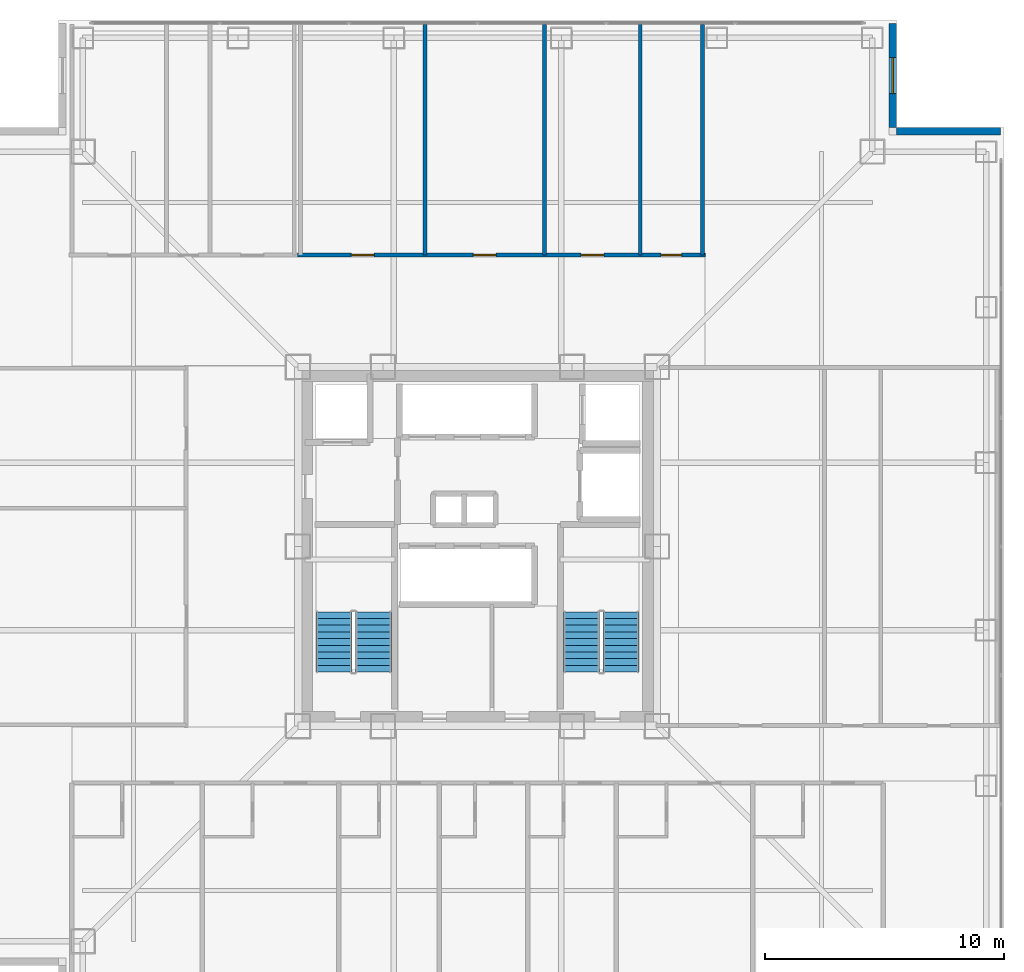
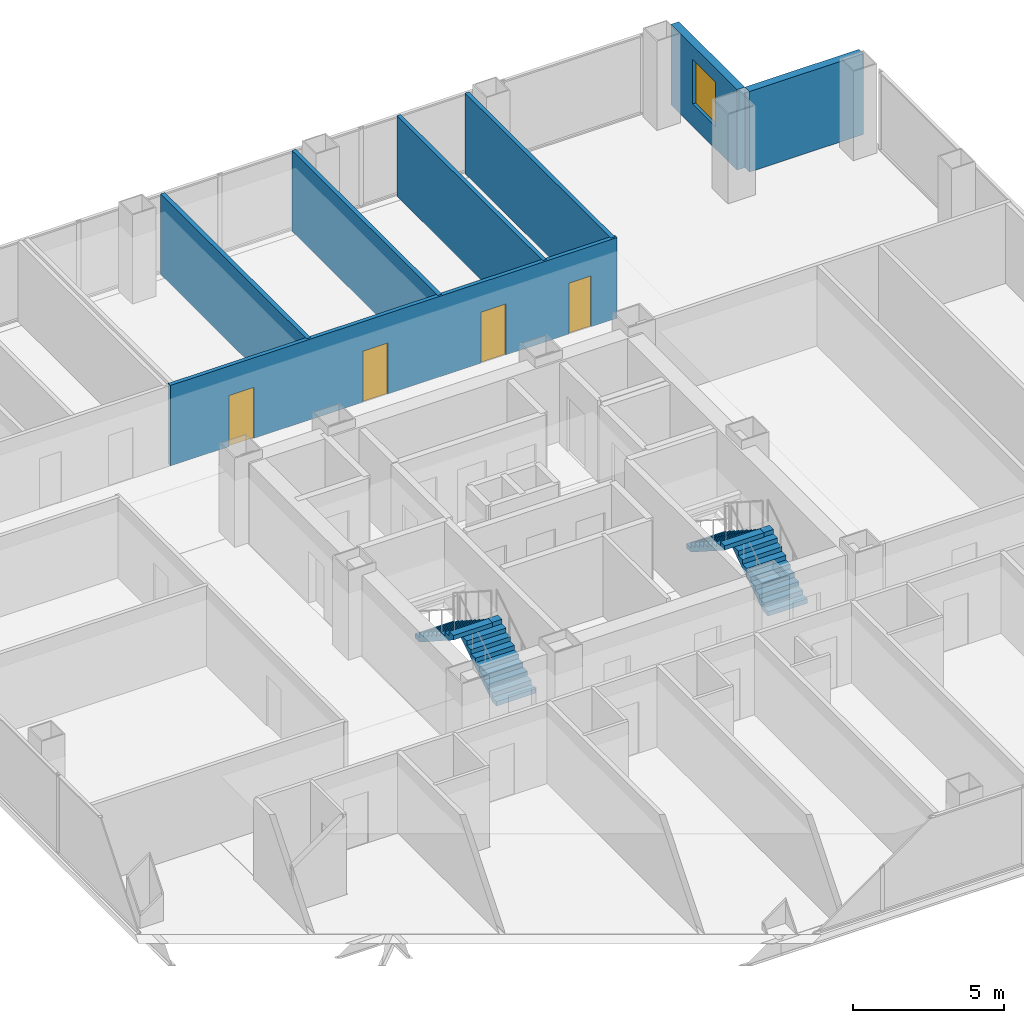
# One storey, part 15 of 18: 7 walls, 4 doors, 4 stair flights, 1 window, 5 openings, 2 elements without a shape of their own.
"""IFC4 building model written with IfcOpenShell, lengths in metres."""

from ifc_helpers import new_model, si_unit, direction, frame, frame_2d, origin, place, context, subcontext, project, spatial, polyline, rectangle, outline, extrude, material, layer, layer_set, type_object, element, fill, aggregate, save


model = new_model("IFC4")

# Units and contexts
model_context = context("Model", 3, precision=1e-05, world=origin(), true_north=direction((0.0, 1.0)))
body_context = subcontext(model_context, "Body", "Model", "MODEL_VIEW")
ifc_project = project(units=[si_unit("LENGTHUNIT", "METRE"), si_unit("AREAUNIT", "SQUARE_METRE"), si_unit("VOLUMEUNIT", "CUBIC_METRE"), si_unit("PLANEANGLEUNIT", "RADIAN"), si_unit("MASSUNIT", "GRAM", prefix="KILO")], contexts=[model_context])

# Site, building, storey
site_placement = place(None, origin())
site = spatial("IfcSite", under=ifc_project, at=site_placement, CompositionType="ELEMENT")
building_placement = place(site_placement, origin())
building = spatial("IfcBuilding", under=site, at=building_placement, Name="Trevonay Congress Spire", CompositionType="ELEMENT")
storey_placement = place(building_placement, frame((0.0, 0.0, 151.60009765625)))
storey = spatial("IfcBuildingStorey", under=building, at=storey_placement, Name="L39", CompositionType="ELEMENT", Elevation=151.60009765625)

# Wall, openings, doors
ifc_material_1 = material(Name="Concrete C40/50", Category="concrete")
ifc_layer_1 = layer(ifc_material_1, 0.14990234375, Name="Concrete C40/50")
ifc_layer_set_1 = layer_set([ifc_layer_1], Name="Concrete C40/50")
wall_type_1 = type_object("IfcWallType", Name="WAL-CORR-150", PredefinedType="PARTITIONING", material=ifc_layer_set_1)
wall_1_placement = place(storey_placement, frame((-7.52001953125, 12.179931640625, 0.0), z_axis=(0.0, 0.0, 1.0), x_axis=(1.0, 0.0, 0.0)))
wall_1 = element("IfcWall", 1, at=wall_1_placement, inside=storey, type_object=wall_type_1, Name="L39 interior wall WP-L39NE-COR", PredefinedType="PARTITIONING", context=body_context, shape_type="SweptSolid", body=[
    extrude(rectangle(XDim=17.0400390625, YDim=0.14990234375, at=frame_2d((8.52001953125, 0.0))), origin(), (0.0, 0.0, 1.0), 3.25),
])
opening_1_placement = place(wall_1_placement, frame((2.2451171875, 0.0, 0.0)))
opening_1 = element("IfcOpeningElement", 2, at=opening_1_placement, cuts=wall_1, Name="Opening D07", PredefinedType="OPENING", context=body_context, shape_type="SweptSolid", body=[
    extrude(rectangle(XDim=0.949951171875, YDim=2.06005859375, at=frame_2d((0.47509765625, 1.030029296875))), frame((0.0, 0.0849609375, 0.0), z_axis=(0.0, -1.0, 0.0), x_axis=(1.0, 0.0, 0.0)), (0.0, 0.0, 1.0), 0.169921875),
])
opening_2_placement = place(wall_1_placement, frame((7.344970703125, 0.0, 0.0)))
opening_2 = element("IfcOpeningElement", 3, at=opening_2_placement, cuts=wall_1, Name="Opening D07", PredefinedType="OPENING", context=body_context, shape_type="SweptSolid", body=[
    extrude(rectangle(XDim=0.949951171875, YDim=2.06005859375, at=frame_2d((0.47509765625, 1.030029296875))), frame((0.0, 0.0849609375, 0.0), z_axis=(0.0, -1.0, 0.0), x_axis=(1.0, 0.0, 0.0)), (0.0, 0.0, 1.0), 0.169921875),
])
opening_3_placement = place(wall_1_placement, frame((11.844970703125, 0.0, 0.0)))
opening_3 = element("IfcOpeningElement", 4, at=opening_3_placement, cuts=wall_1, Name="Opening D07", PredefinedType="OPENING", context=body_context, shape_type="SweptSolid", body=[
    extrude(rectangle(XDim=0.949951171875, YDim=2.06005859375, at=frame_2d((0.47509765625, 1.030029296875))), frame((0.0, 0.0849609375, 0.0), z_axis=(0.0, -1.0, 0.0), x_axis=(1.0, 0.0, 0.0)), (0.0, 0.0, 1.0), 0.169921875),
])
opening_4_placement = place(wall_1_placement, frame((15.195068359375, 0.0, 0.0)))
opening_4 = element("IfcOpeningElement", 5, at=opening_4_placement, cuts=wall_1, Name="Opening D10", PredefinedType="OPENING", context=body_context, shape_type="SweptSolid", body=[
    extrude(rectangle(XDim=0.85009765625, YDim=2.050048828125, at=frame_2d((0.425048828125, 1.02490234375))), frame((0.0, 0.0849609375, 0.0), z_axis=(0.0, -1.0, 0.0), x_axis=(1.0, 0.0, 0.0)), (0.0, 0.0, 1.0), 0.169921875),
])
ifc_material_2 = material(Name="Pale Anodised Aluminium EN AW-6063-T6", Category="aluminium")
door_type_1 = type_object("IfcDoorType", Name="DOR-OFFICE-95", OperationType="NOTDEFINED", PredefinedType="DOOR", material=ifc_material_2)
door_1_placement = place(opening_1_placement, origin())
door_1 = element("IfcDoor", 6, at=door_1_placement, inside=storey, type_object=door_type_1, Name="L39 Protocol Advisors Office 1 Door", OperationType="SINGLE_SWING_RIGHT", OverallHeight=2.06005859375, OverallWidth=0.949951171875, PredefinedType="DOOR", context=body_context, shape_type="SweptSolid", body=[
    extrude(rectangle(XDim=0.949951171875, YDim=2.06005859375, at=frame_2d((0.47509765625, 1.030029296875))), frame((0.0, 0.02490234375, 0.0), z_axis=(0.0, -1.0, 0.0), x_axis=(1.0, 0.0, 0.0)), (0.0, 0.0, 1.0), 0.050048828125),
])
fill(opening_1, door_1)
door_2_placement = place(opening_2_placement, origin())
door_2 = element("IfcDoor", 7, at=door_2_placement, inside=storey, type_object=door_type_1, Name="L39 Protocol Advisors Office 2 Door", OperationType="SINGLE_SWING_LEFT", OverallHeight=2.06005859375, OverallWidth=0.949951171875, PredefinedType="DOOR", context=body_context, shape_type="SweptSolid", body=[
    extrude(rectangle(XDim=0.949951171875, YDim=2.06005859375, at=frame_2d((0.47509765625, 1.030029296875))), frame((0.0, 0.02490234375, 0.0), z_axis=(0.0, -1.0, 0.0), x_axis=(1.0, 0.0, 0.0)), (0.0, 0.0, 1.0), 0.050048828125),
])
fill(opening_2, door_2)
door_3_placement = place(opening_3_placement, origin())
door_3 = element("IfcDoor", 8, at=door_3_placement, inside=storey, type_object=door_type_1, Name="L39 Housekeeping and Linen Room Door", OperationType="SINGLE_SWING_RIGHT", OverallHeight=2.06005859375, OverallWidth=0.949951171875, PredefinedType="DOOR", context=body_context, shape_type="SweptSolid", body=[
    extrude(rectangle(XDim=0.949951171875, YDim=2.06005859375, at=frame_2d((0.47509765625, 1.030029296875))), frame((0.0, 0.02490234375, 0.0), z_axis=(0.0, -1.0, 0.0), x_axis=(1.0, 0.0, 0.0)), (0.0, 0.0, 1.0), 0.050048828125),
])
fill(opening_3, door_3)
door_type_2 = type_object("IfcDoorType", Name="DOR-WC-85", OperationType="NOTDEFINED", PredefinedType="DOOR", material=ifc_material_2)
door_4_placement = place(opening_4_placement, origin())
door_4 = element("IfcDoor", 9, at=door_4_placement, inside=storey, type_object=door_type_2, Name="L39 Female Restroom WC Door", OperationType="SINGLE_SWING_LEFT", OverallHeight=2.050048828125, OverallWidth=0.85009765625, PredefinedType="DOOR", context=body_context, shape_type="SweptSolid", body=[
    extrude(rectangle(XDim=0.85009765625, YDim=2.050048828125, at=frame_2d((0.425048828125, 1.02490234375))), frame((0.0, 0.02490234375, 0.0), z_axis=(0.0, -1.0, 0.0), x_axis=(1.0, 0.0, 0.0)), (0.0, 0.0, 1.0), 0.050048828125),
])
fill(opening_4, door_4)

# Wall, opening, window
ifc_material_3 = material(Name="Precast concrete C40/50", Category="concrete")
ifc_layer_2 = layer(ifc_material_3, 0.300048828125, Name="Precast concrete C40/50")
ifc_layer_set_2 = layer_set([ifc_layer_2], Name="Precast concrete C40/50")
wall_type_2 = type_object("IfcWallType", Name="WAL-EXT-PRECAST-300", PredefinedType="SOLIDWALL", material=ifc_layer_set_2)
wall_2_placement = place(storey_placement, frame((17.35009765625, 21.85009765625, 0.0), z_axis=(0.0, 0.0, 1.0), x_axis=(0.0, -1.0, 0.0)))
wall_2 = element("IfcWall", 10, at=wall_2_placement, inside=storey, type_object=wall_type_2, Name="L39 NE re-entrant notch exterior wall 1", PredefinedType="SOLIDWALL", context=body_context, shape_type="SweptSolid", body=[
    extrude(rectangle(XDim=4.35009765625, YDim=0.300048828125, at=frame_2d((2.175048828125, 0.0))), origin(), (0.0, 0.0, 1.0), 3.25),
])
opening_5_placement = place(wall_2_placement, frame((1.425048828125, 0.0, 0.89990234375)))
opening_5 = element("IfcOpeningElement", 11, at=opening_5_placement, cuts=wall_2, Name="Opening WN03", PredefinedType="OPENING", context=body_context, shape_type="SweptSolid", body=[
    extrude(rectangle(XDim=1.5, YDim=1.800048828125, at=frame_2d((0.75, 0.89990234375))), frame((0.0, 0.16015625, 0.0), z_axis=(0.0, -1.0, 0.0), x_axis=(1.0, 0.0, 0.0)), (0.0, 0.0, 1.0), 0.320068359375),
])
ifc_material_4 = material(Name="Insulated Low-E Vision Glass IGU", Category="glass")
window_type = type_object("IfcWindowType", Name="WIN-NOTCH-150X180", PartitioningType="SINGLE_PANEL", PredefinedType="WINDOW", material=ifc_material_4)
window_placement = place(opening_5_placement, origin())
window = element("IfcWindow", 12, at=window_placement, inside=storey, type_object=window_type, Name="L39 NE corner notch window", OverallHeight=1.800048828125, OverallWidth=1.5, PartitioningType="SINGLE_PANEL", PredefinedType="WINDOW", context=body_context, shape_type="SweptSolid", body=[
    extrude(rectangle(XDim=1.5, YDim=1.800048828125, at=frame_2d((0.75, 0.89990234375))), frame((0.0, 0.030029296875, 0.0), z_axis=(0.0, -1.0, 0.0), x_axis=(1.0, 0.0, 0.0)), (0.0, 0.0, 1.0), 0.06005859375),
])
fill(opening_5, window)

# Walls
wall_3_placement = place(storey_placement, frame((21.85009765625, 17.35009765625, 0.0), z_axis=(0.0, 0.0, 1.0), x_axis=(-1.0, 0.0, 0.0)))
element("IfcWall", 13, at=wall_3_placement, inside=storey, type_object=wall_type_2, Name="L39 NE re-entrant notch exterior wall 2", PredefinedType="SOLIDWALL", context=body_context, shape_type="SweptSolid", body=[
    extrude(rectangle(XDim=4.35009765625, YDim=0.300048828125, at=frame_2d((2.175048828125, 0.0))), origin(), (0.0, 0.0, 1.0), 3.25),
])
ifc_layer_3 = layer(ifc_material_1, 0.14990234375, Name="Concrete C40/50")
ifc_layer_set_3 = layer_set([ifc_layer_3], Name="Concrete C40/50")
wall_type_3 = type_object("IfcWallType", Name="WAL-PART-150", PredefinedType="PARTITIONING", material=ifc_layer_set_3)
for number, where, z_axis, x_axis, name in (
    (14, (2.800048828125, 12.179931640625, 0.0), (0.0, 0.0, 1.0), (0.0, 1.0, 0.0), "L39 interior wall WP-L39NE-DIV3"),
    (15, (6.800048828125, 12.179931640625, 0.0), (0.0, 0.0, 1.0), (0.0, 1.0, 0.0), "L39 interior wall WP-L39NE-DIV4"),
    (16, (9.39990234375, 12.179931640625, 0.0), (0.0, 0.0, 1.0), (0.0, 1.0, 0.0), "L39 interior wall WP-L39NE-DIV5"),
):
    element("IfcWall", number, at=place(storey_placement, frame(where, z_axis=z_axis, x_axis=x_axis)), inside=storey, type_object=wall_type_3, Name=name, PredefinedType="PARTITIONING", context=body_context, shape_type="SweptSolid", body=[
        extrude(rectangle(XDim=9.64013671875, YDim=0.14990234375, at=frame_2d((4.820068359375, 0.0))), origin(), (0.0, 0.0, 1.0), 3.25),
    ])
ifc_layer_4 = layer(ifc_material_1, 0.1650390625, Name="Concrete C40/50")
ifc_layer_set_4 = layer_set([ifc_layer_4], Name="Concrete C40/50")
wall_type_4 = type_object("IfcWallType", Name="WAL-WET-165", PredefinedType="PLUMBINGWALL", material=ifc_layer_set_4)
wall_4_placement = place(storey_placement, frame((-2.199951171875, 12.179931640625, 0.0), z_axis=(0.0, 0.0, 1.0), x_axis=(0.0, 1.0, 0.0)))
element("IfcWall", 17, at=wall_4_placement, inside=storey, type_object=wall_type_4, Name="L39 interior wall WP-L39NE-DIV2", PredefinedType="PLUMBINGWALL", context=body_context, shape_type="SweptSolid", body=[
    extrude(rectangle(XDim=9.64013671875, YDim=0.1650390625, at=frame_2d((4.820068359375, 0.0))), origin(), (0.0, 0.0, 1.0), 3.25),
])

# Stair, stair flights
stair_type_1 = type_object("IfcStairType", Name="STR-ST-1", PredefinedType="HALF_TURN_STAIR", material=ifc_material_1)
stair_1_placement = place(storey_placement, origin())
stair_1 = element("IfcStair", 18, at=stair_1_placement, inside=storey, type_object=stair_type_1, Name="L39 Protected Exit Stair ST-1", PredefinedType="HALF_TURN_STAIR")
stair_flight_type_1 = type_object("IfcStairFlightType", Name="SFL-ST-1", PredefinedType="STRAIGHT", material=ifc_material_1)
stair_flight_1_placement = place(storey_placement, frame((-4.35009765625, -5.25, 0.0), z_axis=(0.0, 0.0, 1.0), x_axis=(0.0, 1.0, 0.0)))
stair_flight_1 = element("IfcStairFlight", 19, at=stair_flight_1_placement, type_object=stair_flight_type_1, Name="ST-1 flight 1", NumberOfRisers=10, NumberOfTreads=9, PredefinedType="STRAIGHT", RiserHeight=0.18, TreadLength=0.28, context=body_context, shape_type="SweptSolid", body=[
    extrude(outline(polyline([(0.0, 0.0), (0.0, 0.179931640625), (0.280029296875, 0.179931640625), (0.280029296875, 0.360107421875), (0.56005859375, 0.360107421875), (0.56005859375, 0.5400390625), (0.840087890625, 0.5400390625), (0.840087890625, 0.719970703125), (1.1201171875, 0.719970703125), (1.1201171875, 0.89990234375), (1.39990234375, 0.89990234375), (1.39990234375, 1.080078125), (1.679931640625, 1.080078125), (1.679931640625, 1.260009765625), (1.9599609375, 1.260009765625), (1.9599609375, 1.43994140625), (2.239990234375, 1.43994140625), (2.239990234375, 1.6201171875), (2.52001953125, 1.6201171875), (2.52001953125, 1.800048828125), (2.52001953125, 1.44189453125), (0.277099609375, 0.0), (0.0, 0.0)])), frame((0.0, 0.75, 0.0), z_axis=(0.0, -1.0, 0.0), x_axis=(1.0, 0.0, 0.0)), (0.0, 0.0, 1.0), 1.5),
])
stair_flight_2_placement = place(storey_placement, frame((-6.0, -2.72998046875, 1.7998046875), z_axis=(0.0, 0.0, 1.0), x_axis=(0.0, -1.0, 0.0)))
stair_flight_2 = element("IfcStairFlight", 20, at=stair_flight_2_placement, type_object=stair_flight_type_1, Name="ST-1 flight 2", NumberOfRisers=10, NumberOfTreads=9, PredefinedType="STRAIGHT", RiserHeight=0.18, TreadLength=0.28, context=body_context, shape_type="SweptSolid", body=[
    extrude(outline(polyline([(0.0, 0.0), (0.0, 0.179931640625), (0.280029296875, 0.179931640625), (0.280029296875, 0.360107421875), (0.56005859375, 0.360107421875), (0.56005859375, 0.5400390625), (0.840087890625, 0.5400390625), (0.840087890625, 0.719970703125), (1.1201171875, 0.719970703125), (1.1201171875, 0.89990234375), (1.39990234375, 0.89990234375), (1.39990234375, 1.080078125), (1.679931640625, 1.080078125), (1.679931640625, 1.260009765625), (1.9599609375, 1.260009765625), (1.9599609375, 1.43994140625), (2.239990234375, 1.43994140625), (2.239990234375, 1.6201171875), (2.52001953125, 1.6201171875), (2.52001953125, 1.800048828125), (2.52001953125, 1.44189453125), (0.277099609375, 0.0), (0.0, 0.0)])), frame((0.0, 0.75, 0.0), z_axis=(0.0, -1.0, 0.0), x_axis=(1.0, 0.0, 0.0)), (0.0, 0.0, 1.0), 1.5),
])
aggregate(stair_1, [stair_flight_1, stair_flight_2])

stair_type_2 = type_object("IfcStairType", Name="STR-ST-2", PredefinedType="HALF_TURN_STAIR", material=ifc_material_1)
stair_2_placement = place(storey_placement, origin())
stair_2 = element("IfcStair", 21, at=stair_2_placement, inside=storey, type_object=stair_type_2, Name="L39 Protected Exit Stair ST-2", PredefinedType="HALF_TURN_STAIR")
stair_flight_type_2 = type_object("IfcStairFlightType", Name="SFL-ST-2", PredefinedType="STRAIGHT", material=ifc_material_1)
stair_flight_3_placement = place(storey_placement, frame((6.0, -5.25, 0.0), z_axis=(0.0, 0.0, 1.0), x_axis=(0.0, 1.0, 0.0)))
stair_flight_3 = element("IfcStairFlight", 22, at=stair_flight_3_placement, type_object=stair_flight_type_2, Name="ST-2 flight 1", NumberOfRisers=10, NumberOfTreads=9, PredefinedType="STRAIGHT", RiserHeight=0.18, TreadLength=0.28, context=body_context, shape_type="SweptSolid", body=[
    extrude(outline(polyline([(0.0, 0.0), (0.0, 0.179931640625), (0.280029296875, 0.179931640625), (0.280029296875, 0.360107421875), (0.56005859375, 0.360107421875), (0.56005859375, 0.5400390625), (0.840087890625, 0.5400390625), (0.840087890625, 0.719970703125), (1.1201171875, 0.719970703125), (1.1201171875, 0.89990234375), (1.39990234375, 0.89990234375), (1.39990234375, 1.080078125), (1.679931640625, 1.080078125), (1.679931640625, 1.260009765625), (1.9599609375, 1.260009765625), (1.9599609375, 1.43994140625), (2.239990234375, 1.43994140625), (2.239990234375, 1.6201171875), (2.52001953125, 1.6201171875), (2.52001953125, 1.800048828125), (2.52001953125, 1.44189453125), (0.277099609375, 0.0), (0.0, 0.0)])), frame((0.0, 0.75, 0.0), z_axis=(0.0, -1.0, 0.0), x_axis=(1.0, 0.0, 0.0)), (0.0, 0.0, 1.0), 1.5),
])
stair_flight_4_placement = place(storey_placement, frame((4.35009765625, -2.72998046875, 1.7998046875), z_axis=(0.0, 0.0, 1.0), x_axis=(0.0, -1.0, 0.0)))
stair_flight_4 = element("IfcStairFlight", 23, at=stair_flight_4_placement, type_object=stair_flight_type_2, Name="ST-2 flight 2", NumberOfRisers=10, NumberOfTreads=9, PredefinedType="STRAIGHT", RiserHeight=0.18, TreadLength=0.28, context=body_context, shape_type="SweptSolid", body=[
    extrude(outline(polyline([(0.0, 0.0), (0.0, 0.179931640625), (0.280029296875, 0.179931640625), (0.280029296875, 0.360107421875), (0.56005859375, 0.360107421875), (0.56005859375, 0.5400390625), (0.840087890625, 0.5400390625), (0.840087890625, 0.719970703125), (1.1201171875, 0.719970703125), (1.1201171875, 0.89990234375), (1.39990234375, 0.89990234375), (1.39990234375, 1.080078125), (1.679931640625, 1.080078125), (1.679931640625, 1.260009765625), (1.9599609375, 1.260009765625), (1.9599609375, 1.43994140625), (2.239990234375, 1.43994140625), (2.239990234375, 1.6201171875), (2.52001953125, 1.6201171875), (2.52001953125, 1.800048828125), (2.52001953125, 1.44189453125), (0.277099609375, 0.0), (0.0, 0.0)])), frame((0.0, 0.75, 0.0), z_axis=(0.0, -1.0, 0.0), x_axis=(1.0, 0.0, 0.0)), (0.0, 0.0, 1.0), 1.5),
])
aggregate(stair_2, [stair_flight_3, stair_flight_4])

save(model, "model.ifc")
